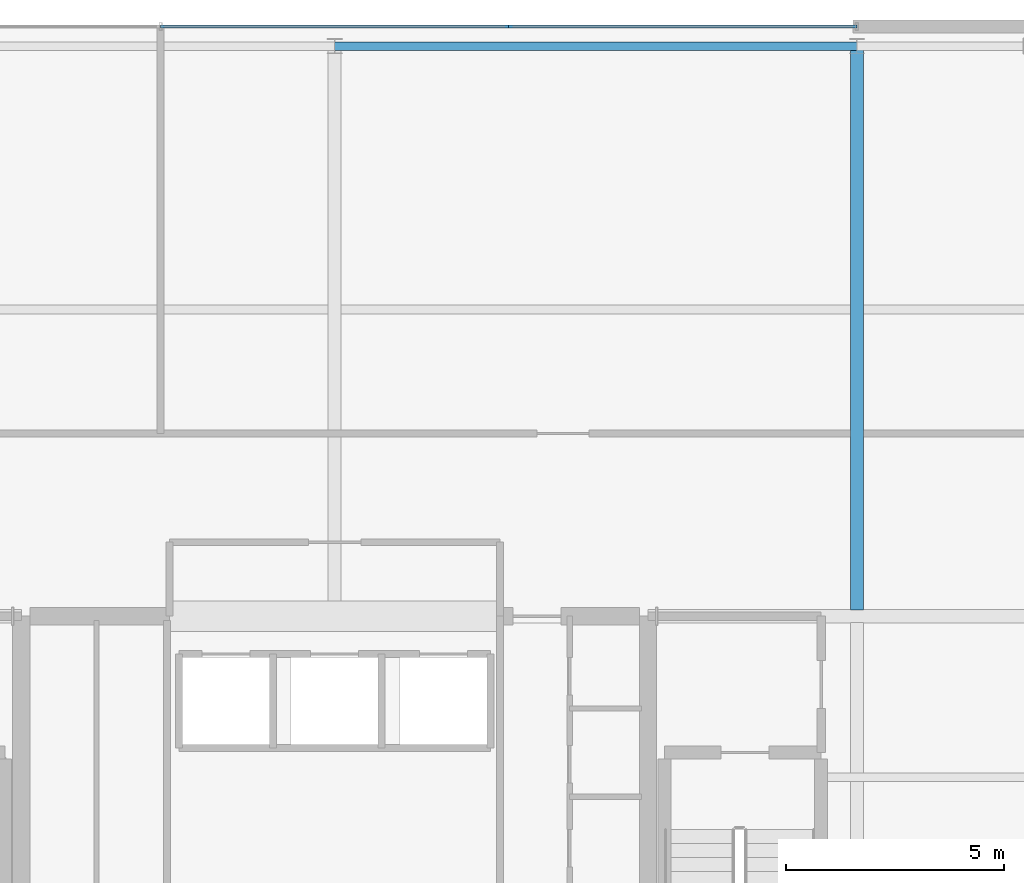
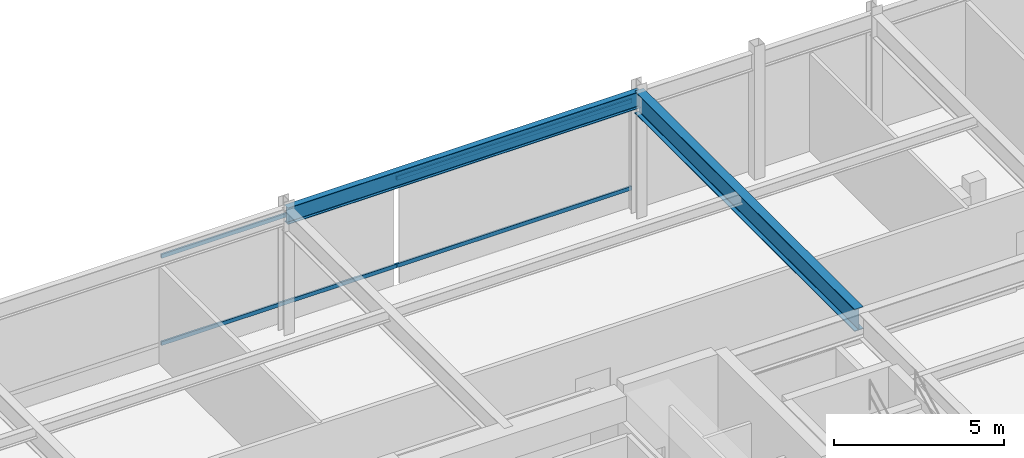
# One storey, part 15 of 26: 4 members, 2 beams, 1 element without a shape of its own.
"""IFC4 building model written with IfcOpenShell, lengths in metres."""

from ifc_helpers import new_model, si_unit, direction, frame, origin, origin_2d, place, context, subcontext, project, spatial, hollow_rectangle, i_section, extrude, material, layer, layer_set, material_profile, profile_set, type_object, element, aggregate, save


model = new_model("IFC4")

# Units and contexts
model_context = context("Model", 3, precision=1e-05, world=origin(), true_north=direction((0.0, 1.0)))
body_context = subcontext(model_context, "Body", "Model", "MODEL_VIEW")
ifc_project = project(units=[si_unit("LENGTHUNIT", "METRE"), si_unit("AREAUNIT", "SQUARE_METRE"), si_unit("VOLUMEUNIT", "CUBIC_METRE"), si_unit("PLANEANGLEUNIT", "RADIAN"), si_unit("MASSUNIT", "GRAM", prefix="KILO")], contexts=[model_context])

# Site, building, storey
site_placement = place(None, origin())
site = spatial("IfcSite", under=ifc_project, at=site_placement, CompositionType="ELEMENT")
building_placement = place(site_placement, origin())
building = spatial("IfcBuilding", under=site, at=building_placement, Name="Veldorina Hangang Commons", CompositionType="ELEMENT")
storey_placement = place(building_placement, frame((0.0, 0.0, 10.0)))
storey = spatial("IfcBuildingStorey", under=building, at=storey_placement, Name="L02", CompositionType="ELEMENT", Elevation=10.0)

# Beams
ifc_material_1 = material(Name="Steel SM460-TMC", Category="steel")
ifc_material_profile_1 = material_profile(ifc_material_1, i_section(OverallWidth=0.300048828125, OverallDepth=0.800048828125, WebThickness=0.013916015625, FlangeThickness=0.02587890625, FilletRadius=0.02197265625, at=origin_2d()), Name="H-800x300x14x26")
ifc_profile_set_1 = profile_set([ifc_material_profile_1], Name="Steel SM460-TMC")
beam_type_1 = type_object("IfcBeamType", Name="BM-PG800", PredefinedType="BEAM", material=ifc_profile_set_1)
beam_1_placement = place(storey_placement, frame((44.0, 31.590087890625, 4.10009765625), z_axis=(0.0, 1.0, 0.0), x_axis=(-1.0, 0.0, 0.0)))
element("IfcBeam", 1, at=beam_1_placement, inside=storey, type_object=beam_type_1, Name="L02 north primary girder G7", PredefinedType="BEAM", context=body_context, shape_type="SweptSolid", body=[
    extrude(i_section(OverallWidth=0.300048828125, OverallDepth=0.800048828125, WebThickness=0.013916015625, FlangeThickness=0.02587890625, FilletRadius=0.02197265625, at=origin_2d()), origin(), (0.0, 0.0, 1.0), 12.9599609375),
])
ifc_material_2 = material(Name="Steel SM420-TMC", Category="steel")
ifc_material_profile_2 = material_profile(ifc_material_2, i_section(OverallWidth=0.199951171875, OverallDepth=0.60009765625, WebThickness=0.010986328125, FlangeThickness=0.01708984375, FilletRadius=0.01806640625, at=origin_2d()), Name="H-600x200x11x17")
ifc_profile_set_2 = profile_set([ifc_material_profile_2], Name="Steel SM420-TMC")
beam_type_2 = type_object("IfcBeamType", Name="BM-SPN600", PredefinedType="SPANDREL", material=ifc_profile_set_2)
beam_2_placement = place(storey_placement, frame((32.0, 44.550048828125, 4.199951171875), z_axis=(1.0, 0.0, 0.0), x_axis=(0.0, 1.0, 0.0)))
element("IfcBeam", 2, at=beam_2_placement, inside=storey, type_object=beam_type_2, Name="L02 north spandrel beam 4", PredefinedType="SPANDREL", context=body_context, shape_type="SweptSolid", body=[
    extrude(i_section(OverallWidth=0.199951171875, OverallDepth=0.60009765625, WebThickness=0.010986328125, FlangeThickness=0.01708984375, FilletRadius=0.01806640625, at=origin_2d()), origin(), (0.0, 0.0, 1.0), 12.0),
])

# Curtain wall, members
ifc_material_3 = material(Name="Glass Low-E Triple IGU", Category="glass")
ifc_layer = layer(ifc_material_3, 0.179931640625)
ifc_layer_set = layer_set([ifc_layer], Name="Glass Low-E Triple IGU")
curtain_wall_type = type_object("IfcCurtainWallType", Name="CW-SYS-POD", PredefinedType="NOTDEFINED", material=ifc_layer_set)
curtain_wall_placement = place(storey_placement, origin())
curtain_wall = element("IfcCurtainWall", 3, at=curtain_wall_placement, inside=storey, type_object=curtain_wall_type, Name="L02 unitised curtain wall CW-L02-N-CTR", PredefinedType="NOTDEFINED")
ifc_material_4 = material(Name="Aluminium Anodized AA6063-T6", Category="aluminium")
ifc_material_profile_3 = material_profile(ifc_material_4, hollow_rectangle(XDim=0.06005859375, YDim=0.139892578125, WallThickness=0.00341796875, at=origin_2d()), Name="ALU-RHS-140x60x3.5")
ifc_profile_set_3 = profile_set([ifc_material_profile_3], Name="Aluminium Anodized AA6063-T6")
member_type = type_object("IfcMemberType", Name="CW-TRN-140", PredefinedType="USERDEFINED", material=ifc_profile_set_3)
member_1_placement = place(storey_placement, frame((44.0, 45.0, 0.699951171875), z_axis=(-1.0, 0.0, 0.0), x_axis=(0.0, -1.0, 0.0)))
member_1 = element("IfcMember", 4, at=member_1_placement, type_object=member_type, Name="CW-L02-N-CTR facet 1 transom 1", ObjectType="TRANSOM", PredefinedType="USERDEFINED", context=body_context, shape_type="SweptSolid", body=[
    extrude(hollow_rectangle(XDim=0.06005859375, YDim=0.139892578125, WallThickness=0.00341796875, at=origin_2d()), origin(), (0.0, 0.0, 1.0), 8.0),
])
member_2_placement = place(storey_placement, frame((44.0, 45.0, 3.840087890625), z_axis=(-1.0, 0.0, 0.0), x_axis=(0.0, -1.0, 0.0)))
member_2 = element("IfcMember", 5, at=member_2_placement, type_object=member_type, Name="CW-L02-N-CTR facet 1 transom 2", ObjectType="TRANSOM", PredefinedType="USERDEFINED", context=body_context, shape_type="SweptSolid", body=[
    extrude(hollow_rectangle(XDim=0.06005859375, YDim=0.139892578125, WallThickness=0.00341796875, at=origin_2d()), origin(), (0.0, 0.0, 1.0), 8.0),
])
member_3_placement = place(storey_placement, frame((36.0, 45.0, 0.699951171875), z_axis=(-1.0, 0.0, 0.0), x_axis=(0.0, -1.0, 0.0)))
member_3 = element("IfcMember", 6, at=member_3_placement, type_object=member_type, Name="CW-L02-N-CTR facet 2 transom 1", ObjectType="TRANSOM", PredefinedType="USERDEFINED", context=body_context, shape_type="SweptSolid", body=[
    extrude(hollow_rectangle(XDim=0.06005859375, YDim=0.139892578125, WallThickness=0.00341796875, at=origin_2d()), origin(), (0.0, 0.0, 1.0), 8.0),
])
member_4_placement = place(storey_placement, frame((36.0, 45.0, 3.840087890625), z_axis=(-1.0, 0.0, 0.0), x_axis=(0.0, -1.0, 0.0)))
member_4 = element("IfcMember", 7, at=member_4_placement, type_object=member_type, Name="CW-L02-N-CTR facet 2 transom 2", ObjectType="TRANSOM", PredefinedType="USERDEFINED", context=body_context, shape_type="SweptSolid", body=[
    extrude(hollow_rectangle(XDim=0.06005859375, YDim=0.139892578125, WallThickness=0.00341796875, at=origin_2d()), origin(), (0.0, 0.0, 1.0), 8.0),
])
aggregate(curtain_wall, [member_1, member_2, member_3, member_4])

save(model, "model.ifc")
